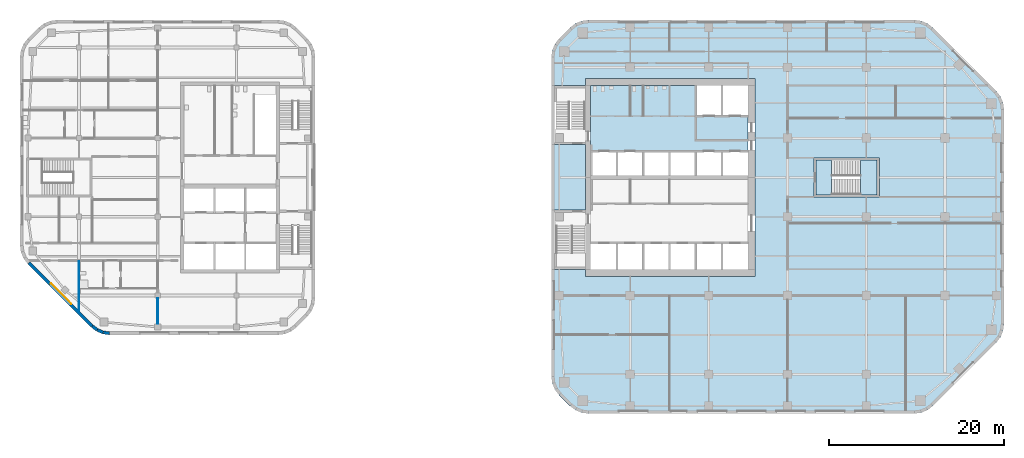
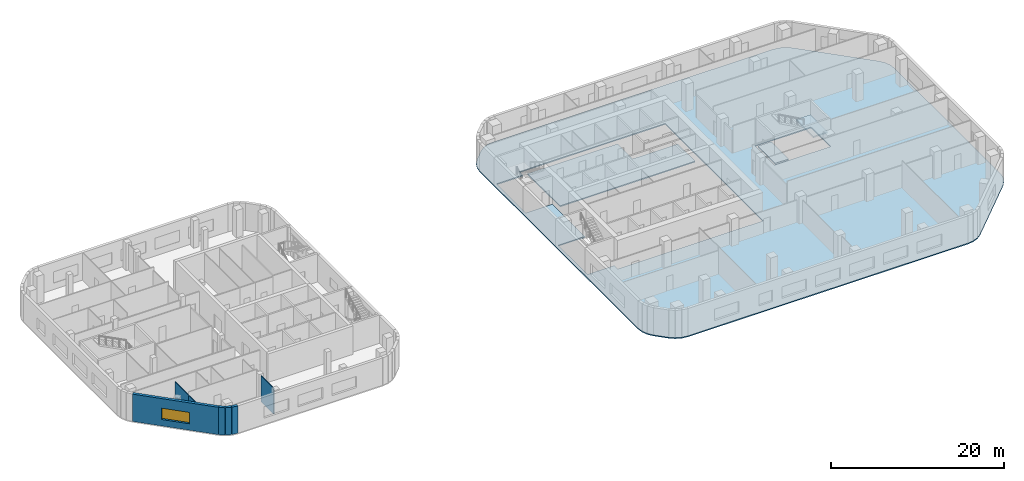
# One storey, part 4 of 14: 7 walls, 4 slabs, 1 window, 1 opening, 1 element without a shape of its own.
"""IFC4 building model written with IfcOpenShell, lengths in metres."""

from ifc_helpers import new_model, si_unit, direction, frame, frame_2d, origin, place, context, subcontext, project, spatial, polyline, rectangle, outline, extrude, material, layer, layer_set, type_object, element, fill, aggregate, save


model = new_model("IFC4")

# Units and contexts
model_context = context("Model", 3, precision=1e-05, world=origin(), true_north=direction((0.0, 1.0)))
body_context = subcontext(model_context, "Body", "Model", "MODEL_VIEW")
ifc_project = project(units=[si_unit("LENGTHUNIT", "METRE"), si_unit("AREAUNIT", "SQUARE_METRE"), si_unit("VOLUMEUNIT", "CUBIC_METRE"), si_unit("PLANEANGLEUNIT", "RADIAN"), si_unit("MASSUNIT", "GRAM", prefix="KILO")], contexts=[model_context])

# Site, building, storey
site_placement = place(None, origin())
site = spatial("IfcSite", under=ifc_project, at=site_placement, CompositionType="ELEMENT")
building_placement = place(site_placement, origin())
building = spatial("IfcBuilding", under=site, at=building_placement, Name="Cinnabar Reach Civic Tower", CompositionType="ELEMENT")
storey_placement = place(building_placement, frame((0.0, 0.0, 108.0)))
storey = spatial("IfcBuildingStorey", under=building, at=storey_placement, Name="L25", CompositionType="ELEMENT", Elevation=108.0)

# Slab
ifc_material_1 = material(Name="Concrete C40", Category="concrete")
ifc_layer_1 = layer(ifc_material_1, 0.15)
ifc_layer_set_1 = layer_set([ifc_layer_1], Name="Composite floor slab 150 REI 150")
slab_type_1 = type_object("IfcSlabType", Name="Composite floor slab 150 REI 150", PredefinedType="FLOOR", material=ifc_layer_set_1)
slab_1_placement = place(storey_placement, frame((0.0, 0.0, -0.15)))
element("IfcSlab", 1, at=slab_1_placement, inside=storey, type_object=slab_type_1, Name="Composite floor slab 150 T1 L25", PredefinedType="FLOOR", context=body_context, shape_type="SweptSolid", body=[
    extrude(outline(polyline([(0.8787, 6.6213), (0.4019, 7.2426), (0.1022, 7.9662), (0.0, 8.7426), (0.0, 45.2574), (0.1022, 46.0338), (0.4019, 46.7574), (0.8787, 47.3787), (2.1213, 48.6213), (2.7426, 49.0981), (3.4662, 49.3978), (4.2426, 49.5), (41.5074, 49.5), (42.2838, 49.3978), (43.0074, 49.0981), (43.6287, 48.6213), (50.8713, 41.3787), (51.3481, 40.7574), (51.6478, 40.0338), (51.75, 39.2574), (51.75, 14.7426), (51.6478, 13.9662), (51.3481, 13.2426), (50.8713, 12.6213), (43.6287, 5.3787), (43.0074, 4.9019), (42.2838, 4.6022), (41.5074, 4.5), (4.2426, 4.5), (3.4662, 4.6022), (2.7426, 4.9019), (2.1213, 5.3787), (0.8787, 6.6213)]), holes=[polyline([(0.36, 21.0), (3.9, 21.0), (3.9, 20.2), (23.3, 20.2), (23.3, 42.8), (3.9, 42.8), (3.9, 42.0), (0.36, 42.0), (0.36, 35.25), (3.9, 35.25), (3.9, 27.75), (0.36, 27.75), (0.36, 21.0)]), polyline([(30.0, 33.75), (30.0, 29.25), (37.5, 29.25), (37.5, 33.75), (30.0, 33.75)])]), origin(), (0.0, 0.0, 1.0), 0.15),
])

# Stair, slabs
ifc_material_2 = material(Name="Concrete C40/50", Category="concrete")
stair_type = type_object("IfcStairType", Name="T1 Exit stair, half-turn", PredefinedType="HALF_TURN_STAIR", material=ifc_material_2)
stair_placement = place(storey_placement, origin())
stair = element("IfcStair", 2, at=stair_placement, inside=storey, type_object=stair_type, Name="Stair T1-S3", PredefinedType="HALF_TURN_STAIR")
ifc_layer_2 = layer(ifc_material_2, 0.2)
ifc_layer_set_2 = layer_set([ifc_layer_2], Name="T1 Stair landing 200, Concrete C40/50")
slab_type_2 = type_object("IfcSlabType", Name="T1 Stair landing 200, Concrete C40/50", PredefinedType="LANDING", material=ifc_layer_set_2)
slab_2_placement = place(storey_placement, frame((0.0, 0.0, -0.2)))
slab_2 = element("IfcSlab", 3, at=slab_2_placement, type_object=slab_type_2, Name="T1-S3 landing 1", PredefinedType="LANDING", context=body_context, shape_type="SweptSolid", body=[
    extrude(outline(polyline([(30.25, 29.5), (32.05, 29.5), (32.05, 33.5), (30.25, 33.5), (30.25, 29.5)])), origin(), (0.0, 0.0, 1.0), 0.2),
])
slab_3_placement = place(storey_placement, frame((0.0, 0.0, 1.8)))
slab_3 = element("IfcSlab", 4, at=slab_3_placement, type_object=slab_type_2, Name="T1-S3 landing 2", PredefinedType="LANDING", context=body_context, shape_type="SweptSolid", body=[
    extrude(outline(polyline([(35.35, 29.5), (37.25, 29.5), (37.25, 33.5), (35.35, 33.5), (35.35, 29.5)])), origin(), (0.0, 0.0, 1.0), 0.2),
])
aggregate(stair, [slab_2, slab_3])

# Slab
ifc_layer_3 = layer(ifc_material_2, 0.15)
ifc_layer_set_3 = layer_set([ifc_layer_3], Name="T1 core floor slab 150")
slab_type_3 = type_object("IfcSlabType", Name="T1 core floor slab 150", PredefinedType="FLOOR", material=ifc_layer_set_3)
slab_4_placement = place(storey_placement, frame((0.0, 0.0, -0.15)))
element("IfcSlab", 5, at=slab_4_placement, inside=storey, type_object=slab_type_3, Name="Core floor slab L25", PredefinedType="FLOOR", context=body_context, shape_type="SweptSolid", body=[
    extrude(outline(polyline([(22.5, 34.5), (19.5, 34.5), (16.5, 34.5), (13.5, 34.5), (10.5, 34.5), (7.5, 34.5), (4.5, 34.5), (4.5, 42.0), (16.5, 42.0), (16.5, 38.5), (19.5, 38.5), (22.5, 38.5), (22.5, 34.5)])), origin(), (0.0, 0.0, 1.0), 0.15),
])

# Walls
ifc_material_3 = material(Name="Facing brick with insulated backing", Category="masonry")
ifc_layer_4 = layer(ifc_material_3, 0.36)
ifc_layer_set_4 = layer_set([ifc_layer_4], Name="Brick corner wall")
wall_type_1 = type_object("IfcWallType", Name="Brick corner wall", PredefinedType="STANDARD", material=ifc_layer_set_4)
wall_1_placement = place(storey_placement, frame((-52.4913, 14.5002, 0.0), z_axis=(0.0, 0.0, 1.0), x_axis=(0.793321924995, -0.608802368033, 0.0)))
element("IfcWall", 6, at=wall_1_placement, inside=storey, type_object=wall_type_1, Name="Brick corner wall", PredefinedType="STANDARD", context=body_context, shape_type="SweptSolid", body=[
    extrude(rectangle(XDim=0.7132, YDim=0.36, at=frame_2d((0.3566, 0.0))), origin(), (0.0, 0.0, 1.0), 3.85),
])
for number, where, z_axis, x_axis, name in (
    (7, (-51.9061, 14.0548, 0.0), (0.0, 0.0, 1.0), (0.923871547278, -0.382702709855, 0.0), "Brick corner wall"),
    (8, (-51.2256, 13.7761, 0.0), (0.0, 0.0, 1.0), (0.99144092581, -0.13055608231, 0.0), "Brick corner wall"),
):
    element("IfcWall", number, at=place(storey_placement, frame(where, z_axis=z_axis, x_axis=x_axis)), inside=storey, type_object=wall_type_1, Name=name, PredefinedType="STANDARD", context=body_context, shape_type="SweptSolid", body=[
        extrude(rectangle(XDim=0.7131, YDim=0.36, at=frame_2d((0.3565, 0.0))), origin(), (0.0, 0.0, 1.0), 3.85),
    ])

# Wall, opening, window
ifc_layer_5 = layer(ifc_material_3, 0.36)
ifc_layer_set_5 = layer_set([ifc_layer_5], Name="Brick pier and spandrel wall")
wall_type_2 = type_object("IfcWallType", Name="Brick pier and spandrel wall", PredefinedType="STANDARD", material=ifc_layer_set_5)
wall_2_placement = place(storey_placement, frame((-59.744, 21.7486, 0.0), z_axis=(0.0, 0.0, 1.0), x_axis=(0.707106781187, -0.707106781187, 0.0)))
wall_2 = element("IfcWall", 9, at=wall_2_placement, inside=storey, type_object=wall_type_2, Name="Brick facade wall", PredefinedType="STANDARD", context=body_context, shape_type="SweptSolid", body=[
    extrude(rectangle(XDim=10.2426, YDim=0.36, at=frame_2d((5.1213, 0.0))), origin(), (0.0, 0.0, 1.0), 3.85),
])
opening_placement = place(wall_2_placement, frame((3.4713, 0.0, 0.9)))
opening = element("IfcOpeningElement", 10, at=opening_placement, cuts=wall_2, Name="Opening W2708", PredefinedType="OPENING", context=body_context, shape_type="SweptSolid", body=[
    extrude(rectangle(XDim=3.3, YDim=1.6, at=frame_2d((1.65, 0.8))), frame((0.0, 0.19, 0.0), z_axis=(0.0, -1.0, 0.0), x_axis=(1.0, 0.0, 0.0)), (0.0, 0.0, 1.0), 0.38),
])
ifc_material_4 = material(Name="Clear double glazing in aluminium frame", Category="aluminium")
window_type = type_object("IfcWindowType", Name="Deep-set window A", PartitioningType="SINGLE_PANEL", PredefinedType="WINDOW", material=ifc_material_4)
window_placement = place(opening_placement, origin())
window = element("IfcWindow", 11, at=window_placement, inside=storey, type_object=window_type, Name="Window southwest face", OverallHeight=1.6, OverallWidth=3.3, PartitioningType="SINGLE_PANEL", PredefinedType="WINDOW", context=body_context, shape_type="SweptSolid", body=[
    extrude(rectangle(XDim=3.3, YDim=1.6, at=frame_2d((1.65, 0.8))), frame((0.0, 0.13, 0.0), z_axis=(0.0, -1.0, 0.0), x_axis=(1.0, 0.0, 0.0)), (0.0, 0.0, 1.0), 0.06),
])
fill(opening, window)

# Walls
ifc_material_5 = material(Name="Gypsum board on steel studs", Category="steel")
ifc_layer_6 = layer(ifc_material_5, 0.1)
ifc_layer_set_6 = layer_set([ifc_layer_6], Name="Partition wall 100 T2")
wall_type_3 = type_object("IfcWallType", Name="Partition wall 100 T2", PredefinedType="PARTITIONING", material=ifc_layer_set_6)
wall_3_placement = place(storey_placement, frame((-45.0, 14.75, 0.0), z_axis=(0.0, 0.0, 1.0), x_axis=(0.0, 1.0, 0.0)))
element("IfcWall", 12, at=wall_3_placement, inside=storey, type_object=wall_type_3, Name="Partition wall 20", PredefinedType="PARTITIONING", context=body_context, shape_type="SweptSolid", body=[
    extrude(rectangle(XDim=2.95, YDim=0.1, at=frame_2d((1.475, 0.0))), origin(), (0.0, 0.0, 1.0), 3.652),
])
wall_4_placement = place(storey_placement, frame((-54.0, 18.85, 0.0), z_axis=(0.0, 0.0, 1.0), x_axis=(0.0, 1.0, 0.0)))
element("IfcWall", 13, at=wall_4_placement, inside=storey, type_object=wall_type_3, Name="Partition wall 22", PredefinedType="PARTITIONING", context=body_context, shape_type="SweptSolid", body=[
    extrude(rectangle(XDim=3.075, YDim=0.1, at=frame_2d((1.5375, 0.0))), origin(), (0.0, 0.0, 1.0), 3.362),
])
wall_5_placement = place(storey_placement, frame((-54.0, 16.2591, 0.0), z_axis=(0.0, 0.0, 1.0), x_axis=(0.0, 1.0, 0.0)))
element("IfcWall", 14, at=wall_5_placement, inside=storey, type_object=wall_type_3, Name="Partition wall 23", PredefinedType="PARTITIONING", context=body_context, shape_type="SweptSolid", body=[
    extrude(rectangle(XDim=2.4909, YDim=0.1, at=frame_2d((1.2454, 0.0))), origin(), (0.0, 0.0, 1.0), 3.362),
])

save(model, "model.ifc")
